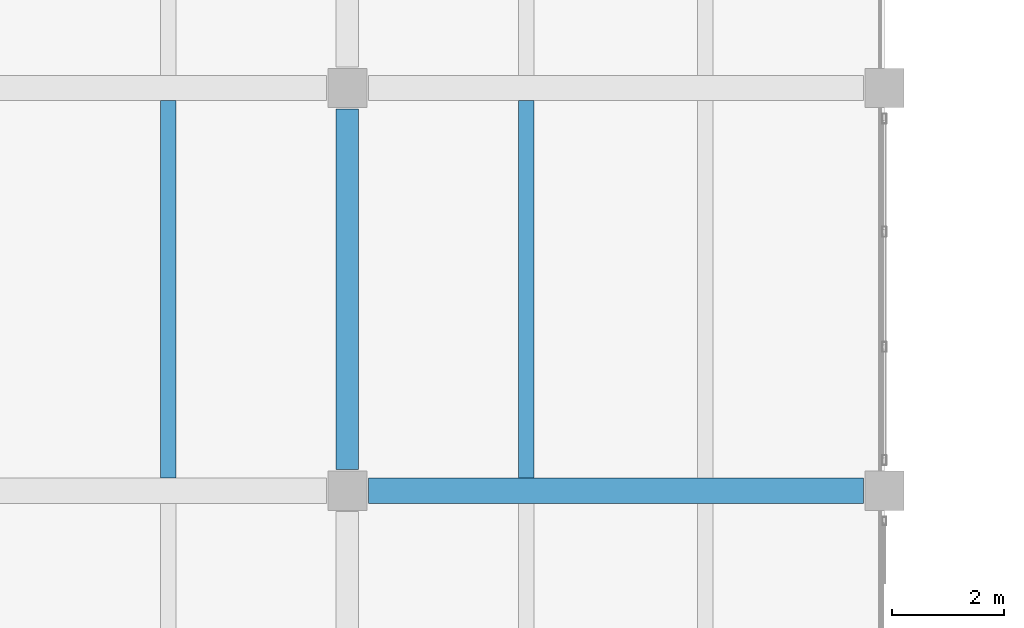
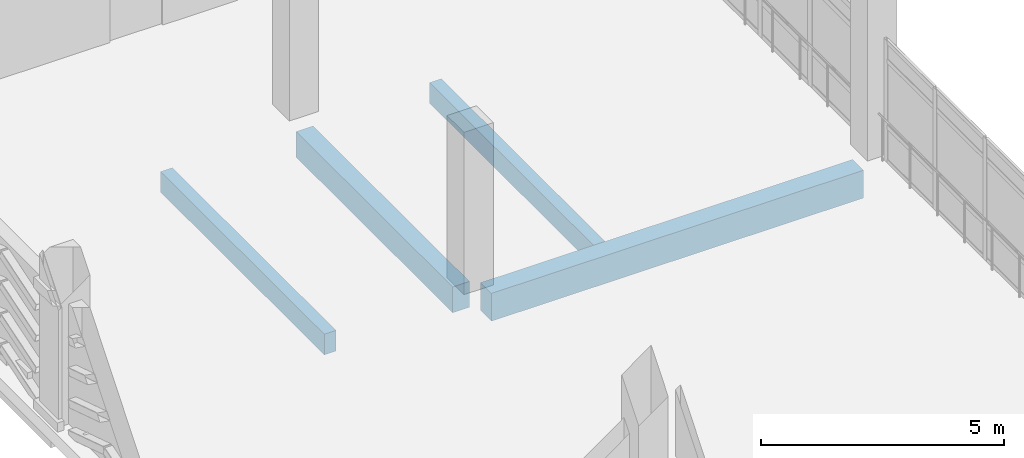
# One storey, part 58 of 180: 4 beams.
"""IFC4 building model written with IfcOpenShell, lengths in metres."""

from ifc_helpers import new_model, si_unit, direction, frame, origin, origin_2d, place, context, subcontext, project, spatial, rectangle, extrude, material, material_profile, profile_set, type_object, element, save


model = new_model("IFC4")

# Units and contexts
model_context = context("Model", 3, precision=1e-05, world=origin(), true_north=direction((0.0, 1.0)))
body_context = subcontext(model_context, "Body", "Model", "MODEL_VIEW")
ifc_project = project(units=[si_unit("LENGTHUNIT", "METRE"), si_unit("AREAUNIT", "SQUARE_METRE"), si_unit("VOLUMEUNIT", "CUBIC_METRE"), si_unit("PLANEANGLEUNIT", "RADIAN"), si_unit("MASSUNIT", "GRAM", prefix="KILO")], contexts=[model_context])

# Site, building, storey
site_placement = place(None, origin())
site = spatial("IfcSite", under=ifc_project, at=site_placement, CompositionType="ELEMENT")
building_placement = place(site_placement, origin())
building = spatial("IfcBuilding", under=site, at=building_placement, Name="Asteropetra Specialist Clinic", CompositionType="ELEMENT")
storey_placement = place(building_placement, frame((0.0, 0.0, 4.419921875)))
storey = spatial("IfcBuildingStorey", under=building, at=storey_placement, Name="L01", CompositionType="ELEMENT", Elevation=4.419921875)

# Beams
ifc_material_1 = material(Name="Concrete C35/45", Category="concrete")
ifc_material_profile_1 = material_profile(ifc_material_1, rectangle(XDim=0.39990234375, YDim=0.64990234375, at=origin_2d()), Name="RCB 400x650")
ifc_profile_set_1 = profile_set([ifc_material_profile_1], Name="Concrete C35/45")
beam_type_1 = type_object("IfcBeamType", Name="BM-RC400x650", PredefinedType="BEAM", material=ifc_profile_set_1)
beam_1_placement = place(storey_placement, frame((115.199951171875, 26.77490234375, -0.625), z_axis=(0.0, 1.0, 0.0), x_axis=(-1.0, 0.0, 0.0)))
element("IfcBeam", 1, at=beam_1_placement, inside=storey, type_object=beam_type_1, Name="Beam BBM07-0498", PredefinedType="BEAM", context=body_context, shape_type="SweptSolid", body=[
    extrude(rectangle(XDim=0.39990234375, YDim=0.64990234375, at=origin_2d()), origin(), (0.0, 0.0, 1.0), 6.4501953125),
])
ifc_material_2 = material(Name="Concrete C35/45", Category="concrete")
ifc_material_profile_2 = material_profile(ifc_material_2, rectangle(XDim=0.449951171875, YDim=0.699951171875, at=origin_2d()), Name="RCB 450x700")
ifc_profile_set_2 = profile_set([ifc_material_profile_2], Name="Concrete C35/45")
beam_type_2 = type_object("IfcBeamType", Name="BM-RC450x700", PredefinedType="BEAM", material=ifc_profile_set_2)
beam_2_placement = place(storey_placement, frame((115.574951171875, 26.39990234375, -0.64990234375), z_axis=(1.0, 0.0, 0.0), x_axis=(0.0, 1.0, 0.0)))
element("IfcBeam", 2, at=beam_2_placement, inside=storey, type_object=beam_type_2, Name="Beam BBM05-0414", PredefinedType="BEAM", context=body_context, shape_type="SweptSolid", body=[
    extrude(rectangle(XDim=0.449951171875, YDim=0.699951171875, at=origin_2d()), origin(), (0.0, 0.0, 1.0), 8.85009765625),
])
ifc_material_3 = material(Name="Concrete C35/45", Category="concrete")
ifc_material_profile_3 = material_profile(ifc_material_3, rectangle(XDim=0.280029296875, YDim=0.52001953125, at=origin_2d()), Name="RCJ 280x520")
ifc_profile_set_3 = profile_set([ifc_material_profile_3], Name="Concrete C35/45")
beam_type_3 = type_object("IfcBeamType", Name="JST-RC280x520", PredefinedType="JOIST", material=ifc_profile_set_3)
for number, where, z_axis, x_axis, name in (
    (3, (112.0, 26.625, -0.559814453125), (0.0, 1.0, 0.0), (-1.0, 0.0, 0.0), "Joist JJST01-0502"),
    (4, (118.39990234375, 26.625, -0.559814453125), (0.0, 1.0, 0.0), (-1.0, 0.0, 0.0), "Joist JJST01-0503"),
):
    element("IfcBeam", number, at=place(storey_placement, frame(where, z_axis=z_axis, x_axis=x_axis)), inside=storey, type_object=beam_type_3, Name=name, PredefinedType="JOIST", context=body_context, shape_type="SweptSolid", body=[
        extrude(rectangle(XDim=0.280029296875, YDim=0.52001953125, at=origin_2d()), origin(), (0.0, 0.0, 1.0), 6.75),
    ])

save(model, "model.ifc")
